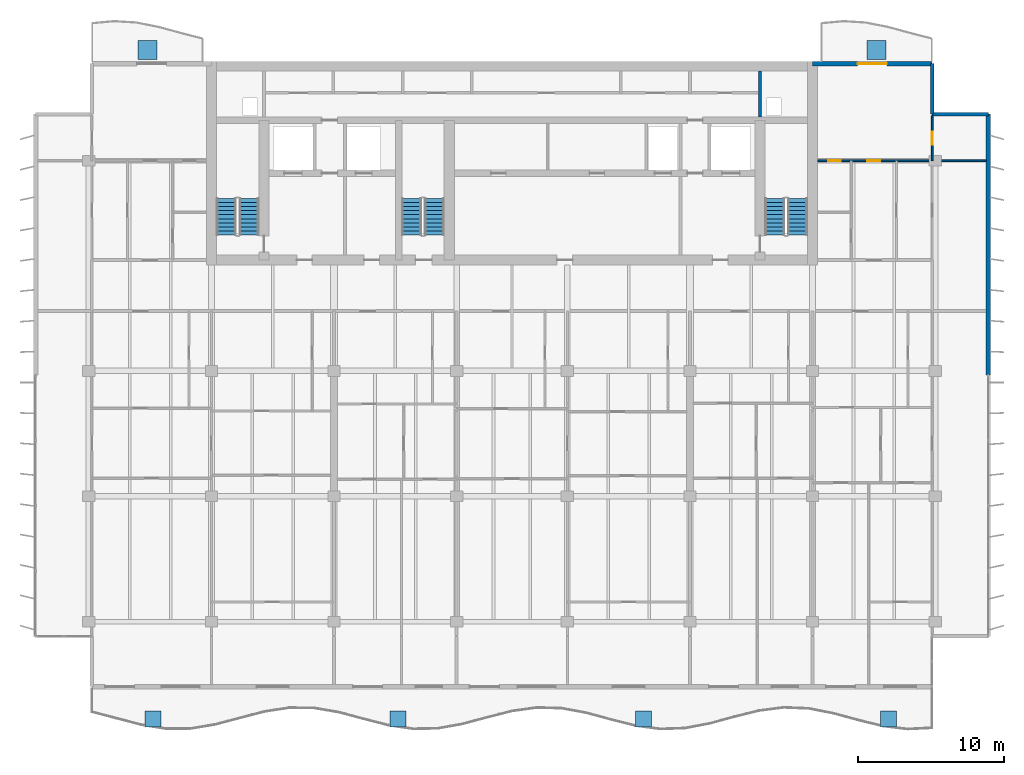
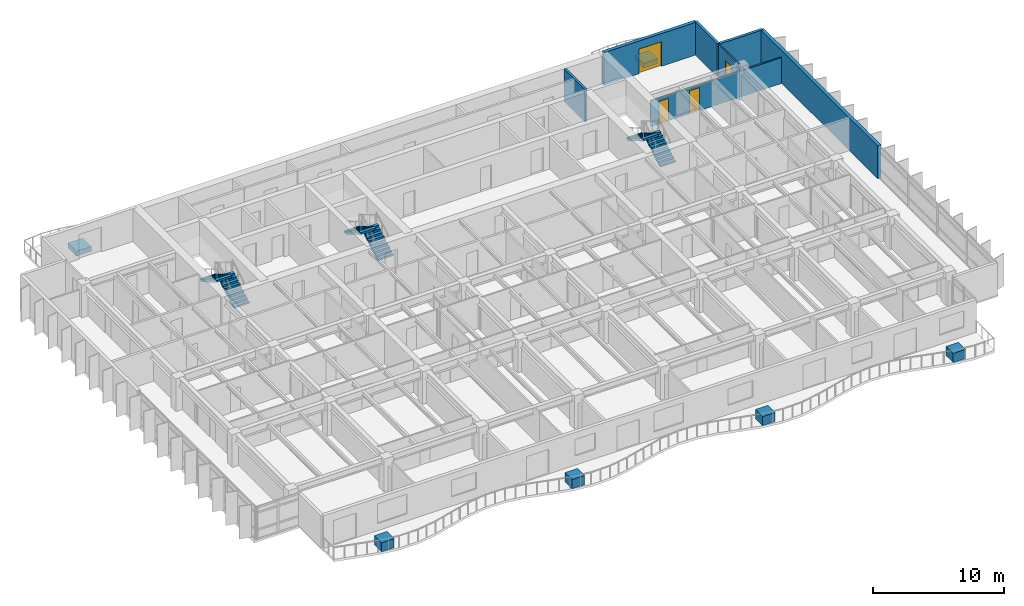
# One storey, part 15 of 19: 7 walls, 6 discrete accessories, 6 stair flights, 4 doors, 4 openings, 3 elements without a shape of their own.
"""IFC4 building model written with IfcOpenShell, lengths in metres."""

from ifc_helpers import new_model, si_unit, direction, frame, frame_2d, origin, origin_2d, place, context, subcontext, project, spatial, polyline, rectangle, outline, extrude, material, layer, layer_set, type_object, element, fill, aggregate, save


model = new_model("IFC4")

# Units and contexts
model_context = context("Model", 3, precision=1e-05, world=origin(), true_north=direction((0.0, 1.0)))
body_context = subcontext(model_context, "Body", "Model", "MODEL_VIEW")
ifc_project = project(units=[si_unit("LENGTHUNIT", "METRE"), si_unit("AREAUNIT", "SQUARE_METRE"), si_unit("VOLUMEUNIT", "CUBIC_METRE"), si_unit("PLANEANGLEUNIT", "RADIAN"), si_unit("MASSUNIT", "GRAM", prefix="KILO")], contexts=[model_context])

# Site, building, storey
site_placement = place(None, origin())
site = spatial("IfcSite", under=ifc_project, at=site_placement, CompositionType="ELEMENT")
building_placement = place(site_placement, origin())
building = spatial("IfcBuilding", under=site, at=building_placement, Name="Caelmar Bay Residences", CompositionType="ELEMENT")
storey_placement = place(building_placement, frame((0.0, 0.0, 188.39990234375)))
storey = spatial("IfcBuildingStorey", under=building, at=storey_placement, Name="L52", CompositionType="ELEMENT", Elevation=188.39990234375)

# Walls
ifc_material_1 = material(Name="Precast concrete f'c 40 MPa (6,000 psi)", Category="concrete")
ifc_layer_1 = layer(ifc_material_1, 0.25)
ifc_layer_set_1 = layer_set([ifc_layer_1], Name="Precast concrete f'c 40 MPa (6,000 psi)")
wall_type_1 = type_object("IfcWallType", Name="W-EXT-250", PredefinedType="ELEMENTEDWALL", material=ifc_layer_set_1)
wall_1_placement = place(storey_placement, frame((67.699951171875, 50.449951171875, 0.0), z_axis=(0.0, 0.0, 1.0), x_axis=(0.0, -1.0, 0.0)))
element("IfcWall", 1, at=wall_1_placement, inside=storey, type_object=wall_type_1, Name="L52 NNE-V Notch Wall", PredefinedType="ELEMENTEDWALL", context=body_context, shape_type="SweptSolid", body=[
    extrude(rectangle(XDim=3.449951171875, YDim=0.25, at=frame_2d((1.72509765625, 0.0))), origin(), (0.0, 0.0, 1.0), 3.050048828125),
])
wall_2_placement = place(storey_placement, frame((67.699951171875, 47.0, 0.0), z_axis=(0.0, 0.0, 1.0), x_axis=(1.0, 0.0, 0.0)))
element("IfcWall", 2, at=wall_2_placement, inside=storey, type_object=wall_type_1, Name="L52 NNE-H Notch Wall", PredefinedType="ELEMENTEDWALL", context=body_context, shape_type="SweptSolid", body=[
    extrude(rectangle(XDim=3.85009765625, YDim=0.25, at=frame_2d((1.925048828125, 0.0))), origin(), (0.0, 0.0, 1.0), 3.050048828125),
])
ifc_layer_2 = layer(ifc_material_1, 0.300048828125)
ifc_layer_set_2 = layer_set([ifc_layer_2], Name="Precast concrete f'c 40 MPa (6,000 psi)")
wall_type_2 = type_object("IfcWallType", Name="W-EXT-300", PredefinedType="STANDARD", material=ifc_layer_set_2)
wall_3_placement = place(storey_placement, frame((71.550048828125, 47.0, 0.0), z_axis=(0.0, 0.0, 1.0), x_axis=(0.0, -1.0, 0.0)))
element("IfcWall", 3, at=wall_3_placement, inside=storey, type_object=wall_type_2, Name="L52 East Rear Exterior Wall", PredefinedType="STANDARD", context=body_context, shape_type="SweptSolid", body=[
    extrude(rectangle(XDim=17.89990234375, YDim=0.300048828125, at=frame_2d((8.949951171875, 0.0))), origin(), (0.0, 0.0, 1.0), 3.050048828125),
])

# Wall, opening, door
wall_4_placement = place(storey_placement, frame((59.5, 50.449951171875, 0.0), z_axis=(0.0, 0.0, 1.0), x_axis=(1.0, 0.0, 0.0)))
wall_4 = element("IfcWall", 4, at=wall_4_placement, inside=storey, type_object=wall_type_2, Name="L52 North-East Wing Exterior Wall", PredefinedType="STANDARD", context=body_context, shape_type="SweptSolid", body=[
    extrude(rectangle(XDim=8.199951171875, YDim=0.300048828125, at=frame_2d((4.10009765625, 0.0))), origin(), (0.0, 0.0, 1.0), 3.050048828125),
])
opening_1_placement = place(wall_4_placement, frame((3.10009765625, 0.0, 0.0)))
opening_1 = element("IfcOpeningElement", 5, at=opening_1_placement, cuts=wall_4, Name="Opening L52-BDNE", PredefinedType="OPENING", context=body_context, shape_type="SweptSolid", body=[
    extrude(rectangle(XDim=2.0, YDim=2.300048828125, at=frame_2d((1.0, 1.14990234375))), frame((0.0, 0.159912109375, 0.0), z_axis=(0.0, -1.0, 0.0), x_axis=(1.0, 0.0, 0.0)), (0.0, 0.0, 1.0), 0.320068359375),
])
ifc_material_2 = material(Name="Anodised bronze thermally broken sliding glass door", Category="glass")
ifc_layer_3 = layer(ifc_material_2, 0.050048828125)
ifc_layer_set_3 = layer_set([ifc_layer_3], Name="Anodised bronze thermally broken sliding glass door")
door_type_1 = type_object("IfcDoorType", Name="D-BAL-2000", OperationType="DOUBLE_DOOR_SLIDING", PredefinedType="DOOR", material=ifc_layer_set_3)
door_1_placement = place(opening_1_placement, origin())
door_1 = element("IfcDoor", 6, at=door_1_placement, inside=storey, type_object=door_type_1, Name="L52 North-East Balcony Door", OperationType="DOUBLE_DOOR_SLIDING", OverallHeight=2.300048828125, OverallWidth=2.0, PredefinedType="DOOR", context=body_context, shape_type="SweptSolid", body=[
    extrude(rectangle(XDim=2.0, YDim=2.300048828125, at=frame_2d((1.0, 1.14990234375))), frame((0.0, 0.02490234375, 0.0), z_axis=(0.0, -1.0, 0.0), x_axis=(1.0, 0.0, 0.0)), (0.0, 0.0, 1.0), 0.050048828125),
])
fill(opening_1, door_1)

# Wall
ifc_material_3 = material(Name="Fire-rated masonry and gypsum shaftliner assembly 200 mm", Category="masonry")
ifc_layer_4 = layer(ifc_material_3, 0.199951171875)
ifc_layer_set_4 = layer_set([ifc_layer_4], Name="Fire-rated masonry and gypsum shaftliner assembly 200 mm")
wall_type_3 = type_object("IfcWallType", Name="W-FSAE-200", PredefinedType="PARTITIONING", material=ifc_layer_set_4)
wall_5_placement = place(storey_placement, frame((55.89990234375, 46.794921875, 0.0), z_axis=(0.0, 0.0, 1.0), x_axis=(0.0, 1.0, 0.0)))
element("IfcWall", 7, at=wall_5_placement, inside=storey, type_object=wall_type_3, Name="L52 Partition Wall V076", PredefinedType="PARTITIONING", context=body_context, shape_type="SweptSolid", body=[
    extrude(rectangle(XDim=3.16015625, YDim=0.199951171875, at=frame_2d((1.580078125, 0.0))), origin(), (0.0, 0.0, 1.0), 3.050048828125),
])

# Wall, opening, door
ifc_material_4 = material(Name="Acoustic metal-stud gypsum partition 120 mm")
ifc_layer_5 = layer(ifc_material_4, 0.1201171875)
ifc_layer_set_5 = layer_set([ifc_layer_5], Name="Acoustic metal-stud gypsum partition 120 mm")
wall_type_4 = type_object("IfcWallType", Name="W-PRT-120", PredefinedType="PARTITIONING", material=ifc_layer_set_5)
wall_6_placement = place(storey_placement, frame((67.699951171875, 43.804931640625, 0.0), z_axis=(0.0, 0.0, 1.0), x_axis=(0.0, 1.0, 0.0)))
wall_6 = element("IfcWall", 8, at=wall_6_placement, inside=storey, type_object=wall_type_4, Name="L52 Partition Wall V103", PredefinedType="PARTITIONING", context=body_context, shape_type="SweptSolid", body=[
    extrude(rectangle(XDim=3.074951171875, YDim=0.1201171875, at=frame_2d((1.53759765625, 0.0))), origin(), (0.0, 0.0, 1.0), 3.050048828125),
])
opening_2_placement = place(wall_6_placement, frame((1.08740234375, 0.0, 0.0)))
opening_2 = element("IfcOpeningElement", 9, at=opening_2_placement, cuts=wall_6, Name="Opening D-L52-176", PredefinedType="OPENING", context=body_context, shape_type="SweptSolid", body=[
    extrude(rectangle(XDim=0.89990234375, YDim=2.14990234375, at=frame_2d((0.449951171875, 1.074951171875))), frame((0.0, 0.070068359375, 0.0), z_axis=(0.0, -1.0, 0.0), x_axis=(1.0, 0.0, 0.0)), (0.0, 0.0, 1.0), 0.14013671875),
])
ifc_material_5 = material(Name="Solid walnut timber interior door leaf and frame", Category="wood")
ifc_layer_6 = layer(ifc_material_5, 0.050048828125)
ifc_layer_set_6 = layer_set([ifc_layer_6], Name="Solid walnut timber interior door leaf and frame")
door_type_2 = type_object("IfcDoorType", Name="D-ROOM-900", OperationType="NOTDEFINED", PredefinedType="DOOR", material=ifc_layer_set_6)
door_2_placement = place(opening_2_placement, origin())
door_2 = element("IfcDoor", 10, at=door_2_placement, inside=storey, type_object=door_type_2, Name="L52 Residence EA North Sitting Alcove Door", OperationType="SINGLE_SWING_RIGHT", OverallHeight=2.14990234375, OverallWidth=0.89990234375, PredefinedType="DOOR", context=body_context, shape_type="SweptSolid", body=[
    extrude(rectangle(XDim=0.89990234375, YDim=2.14990234375, at=frame_2d((0.449951171875, 1.074951171875))), frame((0.0, 0.02490234375, 0.0), z_axis=(0.0, -1.0, 0.0), x_axis=(1.0, 0.0, 0.0)), (0.0, 0.0, 1.0), 0.050048828125),
])
fill(opening_2, door_2)

# Wall, openings, doors
wall_7_placement = place(storey_placement, frame((59.844970703125, 43.800048828125, 0.0), z_axis=(0.0, 0.0, 1.0), x_axis=(1.0, 0.0, 0.0)))
wall_7 = element("IfcWall", 11, at=wall_7_placement, inside=storey, type_object=wall_type_4, Name="L52 Partition Wall H133", PredefinedType="PARTITIONING", context=body_context, shape_type="SweptSolid", body=[
    extrude(rectangle(XDim=11.56005859375, YDim=0.1201171875, at=frame_2d((5.780029296875, 0.0))), origin(), (0.0, 0.0, 1.0), 2.418212890625),
])
opening_3_placement = place(wall_7_placement, frame((3.408935546875, 0.0, 0.0)))
opening_3 = element("IfcOpeningElement", 12, at=opening_3_placement, cuts=wall_7, Name="Opening D-L52-172", PredefinedType="OPENING", context=body_context, shape_type="SweptSolid", body=[
    extrude(rectangle(XDim=0.89990234375, YDim=2.14990234375, at=frame_2d((0.449951171875, 1.074951171875))), frame((0.0, 0.070068359375, 0.0), z_axis=(0.0, -1.0, 0.0), x_axis=(1.0, 0.0, 0.0)), (0.0, 0.0, 1.0), 0.14013671875),
])
opening_4_placement = place(wall_7_placement, frame((0.7275390625, 0.0, 0.0)))
opening_4 = element("IfcOpeningElement", 13, at=opening_4_placement, cuts=wall_7, Name="Opening D-L52-174", PredefinedType="OPENING", context=body_context, shape_type="SweptSolid", body=[
    extrude(rectangle(XDim=0.85009765625, YDim=2.10009765625, at=frame_2d((0.425048828125, 1.050048828125))), frame((0.0, 0.070068359375, 0.0), z_axis=(0.0, -1.0, 0.0), x_axis=(1.0, 0.0, 0.0)), (0.0, 0.0, 1.0), 0.14013671875),
])
ifc_layer_7 = layer(ifc_material_5, 0.050048828125)
ifc_layer_set_7 = layer_set([ifc_layer_7], Name="Solid walnut timber interior door leaf and frame")
door_type_3 = type_object("IfcDoorType", Name="D-BATH-850", OperationType="NOTDEFINED", PredefinedType="DOOR", material=ifc_layer_set_7)
door_3_placement = place(opening_4_placement, origin())
door_3 = element("IfcDoor", 14, at=door_3_placement, inside=storey, type_object=door_type_3, Name="L52 Residence EA Bathroom Door", OperationType="SINGLE_SWING_RIGHT", OverallHeight=2.10009765625, OverallWidth=0.85009765625, PredefinedType="DOOR", context=body_context, shape_type="SweptSolid", body=[
    extrude(rectangle(XDim=0.85009765625, YDim=2.10009765625, at=frame_2d((0.425048828125, 1.050048828125))), frame((0.0, 0.02490234375, 0.0), z_axis=(0.0, -1.0, 0.0), x_axis=(1.0, 0.0, 0.0)), (0.0, 0.0, 1.0), 0.050048828125),
])
fill(opening_4, door_3)
door_4_placement = place(opening_3_placement, origin())
door_4 = element("IfcDoor", 15, at=door_4_placement, inside=storey, type_object=door_type_2, Name="L52 Residence EA Studio Living and Sleeping Room Door", OperationType="SINGLE_SWING_RIGHT", OverallHeight=2.14990234375, OverallWidth=0.89990234375, PredefinedType="DOOR", context=body_context, shape_type="SweptSolid", body=[
    extrude(rectangle(XDim=0.89990234375, YDim=2.14990234375, at=frame_2d((0.449951171875, 1.074951171875))), frame((0.0, 0.02490234375, 0.0), z_axis=(0.0, -1.0, 0.0), x_axis=(1.0, 0.0, 0.0)), (0.0, 0.0, 1.0), 0.050048828125),
])
fill(opening_3, door_4)

# Stair, stair flights
ifc_material_6 = material(Name="Concrete f'c 40 MPa (6,000 psi)", Category="concrete")
stair_type = type_object("IfcStairType", Name="ST-TYP-165", PredefinedType="HALF_TURN_STAIR", material=ifc_material_6)
stair_1_placement = place(storey_placement, origin())
stair_1 = element("IfcStair", 16, at=stair_1_placement, inside=storey, type_object=stair_type, Name="L52 West Smokeproof Exit Stair ST1", PredefinedType="HALF_TURN_STAIR")
stair_flight_type = type_object("IfcStairFlightType", Name="STF-1350", PredefinedType="STRAIGHT", material=ifc_material_6)
stair_flight_1_placement = place(storey_placement, frame((20.875, 38.699951171875, 0.0), z_axis=(0.0, 0.0, 1.0), x_axis=(0.0, 1.0, 0.0)))
stair_flight_1 = element("IfcStairFlight", 17, at=stair_flight_1_placement, type_object=stair_flight_type, Name="ST1 flight 1", NumberOfRisers=10, NumberOfTreads=9, PredefinedType="STRAIGHT", RiserHeight=0.165, TreadLength=0.28, context=body_context, shape_type="SweptSolid", body=[
    extrude(outline(polyline([(0.0, 0.0), (0.0, 0.1650390625), (0.280029296875, 0.1650390625), (0.280029296875, 0.330078125), (0.56005859375, 0.330078125), (0.56005859375, 0.4951171875), (0.840087890625, 0.4951171875), (0.840087890625, 0.659912109375), (1.1201171875, 0.659912109375), (1.1201171875, 0.824951171875), (1.39990234375, 0.824951171875), (1.39990234375, 0.989990234375), (1.679931640625, 0.989990234375), (1.679931640625, 1.155029296875), (1.9599609375, 1.155029296875), (1.9599609375, 1.320068359375), (2.239990234375, 1.320068359375), (2.239990234375, 1.485107421875), (2.52001953125, 1.485107421875), (2.52001953125, 1.64990234375), (2.52001953125, 1.31103515625), (0.295166015625, 0.0), (0.0, 0.0)])), frame((0.0, 0.675048828125, 0.0), z_axis=(0.0, -1.0, 0.0), x_axis=(1.0, 0.0, 0.0)), (0.0, 0.0, 1.0), 1.35009765625),
])
stair_flight_2_placement = place(storey_placement, frame((19.324951171875, 41.219970703125, 1.650146484375), z_axis=(0.0, 0.0, 1.0), x_axis=(0.0, -1.0, 0.0)))
stair_flight_2 = element("IfcStairFlight", 18, at=stair_flight_2_placement, type_object=stair_flight_type, Name="ST1 flight 2", NumberOfRisers=10, NumberOfTreads=9, PredefinedType="STRAIGHT", RiserHeight=0.165, TreadLength=0.28, context=body_context, shape_type="SweptSolid", body=[
    extrude(outline(polyline([(0.0, 0.0), (0.0, 0.1650390625), (0.280029296875, 0.1650390625), (0.280029296875, 0.330078125), (0.56005859375, 0.330078125), (0.56005859375, 0.4951171875), (0.840087890625, 0.4951171875), (0.840087890625, 0.659912109375), (1.1201171875, 0.659912109375), (1.1201171875, 0.824951171875), (1.39990234375, 0.824951171875), (1.39990234375, 0.989990234375), (1.679931640625, 0.989990234375), (1.679931640625, 1.155029296875), (1.9599609375, 1.155029296875), (1.9599609375, 1.320068359375), (2.239990234375, 1.320068359375), (2.239990234375, 1.485107421875), (2.52001953125, 1.485107421875), (2.52001953125, 1.64990234375), (2.52001953125, 1.31103515625), (0.295166015625, 0.0), (0.0, 0.0)])), frame((0.0, 0.675048828125, 0.0), z_axis=(0.0, -1.0, 0.0), x_axis=(1.0, 0.0, 0.0)), (0.0, 0.0, 1.0), 1.35009765625),
])
aggregate(stair_1, [stair_flight_1, stair_flight_2])

stair_2_placement = place(storey_placement, origin())
stair_2 = element("IfcStair", 19, at=stair_2_placement, inside=storey, type_object=stair_type, Name="L52 East Smokeproof Exit Stair ST2", PredefinedType="HALF_TURN_STAIR")
stair_flight_3_placement = place(storey_placement, frame((58.47509765625, 38.699951171875, 0.0), z_axis=(0.0, 0.0, 1.0), x_axis=(0.0, 1.0, 0.0)))
stair_flight_3 = element("IfcStairFlight", 20, at=stair_flight_3_placement, type_object=stair_flight_type, Name="ST2 flight 1", NumberOfRisers=10, NumberOfTreads=9, PredefinedType="STRAIGHT", RiserHeight=0.165, TreadLength=0.28, context=body_context, shape_type="SweptSolid", body=[
    extrude(outline(polyline([(0.0, 0.0), (0.0, 0.1650390625), (0.280029296875, 0.1650390625), (0.280029296875, 0.330078125), (0.56005859375, 0.330078125), (0.56005859375, 0.4951171875), (0.840087890625, 0.4951171875), (0.840087890625, 0.659912109375), (1.1201171875, 0.659912109375), (1.1201171875, 0.824951171875), (1.39990234375, 0.824951171875), (1.39990234375, 0.989990234375), (1.679931640625, 0.989990234375), (1.679931640625, 1.155029296875), (1.9599609375, 1.155029296875), (1.9599609375, 1.320068359375), (2.239990234375, 1.320068359375), (2.239990234375, 1.485107421875), (2.52001953125, 1.485107421875), (2.52001953125, 1.64990234375), (2.52001953125, 1.31103515625), (0.295166015625, 0.0), (0.0, 0.0)])), frame((0.0, 0.675048828125, 0.0), z_axis=(0.0, -1.0, 0.0), x_axis=(1.0, 0.0, 0.0)), (0.0, 0.0, 1.0), 1.35009765625),
])
stair_flight_4_placement = place(storey_placement, frame((56.925048828125, 41.219970703125, 1.650146484375), z_axis=(0.0, 0.0, 1.0), x_axis=(0.0, -1.0, 0.0)))
stair_flight_4 = element("IfcStairFlight", 21, at=stair_flight_4_placement, type_object=stair_flight_type, Name="ST2 flight 2", NumberOfRisers=10, NumberOfTreads=9, PredefinedType="STRAIGHT", RiserHeight=0.165, TreadLength=0.28, context=body_context, shape_type="SweptSolid", body=[
    extrude(outline(polyline([(0.0, 0.0), (0.0, 0.1650390625), (0.280029296875, 0.1650390625), (0.280029296875, 0.330078125), (0.56005859375, 0.330078125), (0.56005859375, 0.4951171875), (0.840087890625, 0.4951171875), (0.840087890625, 0.659912109375), (1.1201171875, 0.659912109375), (1.1201171875, 0.824951171875), (1.39990234375, 0.824951171875), (1.39990234375, 0.989990234375), (1.679931640625, 0.989990234375), (1.679931640625, 1.155029296875), (1.9599609375, 1.155029296875), (1.9599609375, 1.320068359375), (2.239990234375, 1.320068359375), (2.239990234375, 1.485107421875), (2.52001953125, 1.485107421875), (2.52001953125, 1.64990234375), (2.52001953125, 1.31103515625), (0.295166015625, 0.0), (0.0, 0.0)])), frame((0.0, 0.675048828125, 0.0), z_axis=(0.0, -1.0, 0.0), x_axis=(1.0, 0.0, 0.0)), (0.0, 0.0, 1.0), 1.35009765625),
])
aggregate(stair_2, [stair_flight_3, stair_flight_4])

stair_3_placement = place(storey_placement, origin())
stair_3 = element("IfcStair", 22, at=stair_3_placement, inside=storey, type_object=stair_type, Name="L52 Central Smokeproof Exit Stair ST3", PredefinedType="HALF_TURN_STAIR")
stair_flight_5_placement = place(storey_placement, frame((33.574951171875, 38.699951171875, 0.0), z_axis=(0.0, 0.0, 1.0), x_axis=(0.0, 1.0, 0.0)))
stair_flight_5 = element("IfcStairFlight", 23, at=stair_flight_5_placement, type_object=stair_flight_type, Name="ST3 flight 1", NumberOfRisers=10, NumberOfTreads=9, PredefinedType="STRAIGHT", RiserHeight=0.165, TreadLength=0.28, context=body_context, shape_type="SweptSolid", body=[
    extrude(outline(polyline([(0.0, 0.0), (0.0, 0.1650390625), (0.280029296875, 0.1650390625), (0.280029296875, 0.330078125), (0.56005859375, 0.330078125), (0.56005859375, 0.4951171875), (0.840087890625, 0.4951171875), (0.840087890625, 0.659912109375), (1.1201171875, 0.659912109375), (1.1201171875, 0.824951171875), (1.39990234375, 0.824951171875), (1.39990234375, 0.989990234375), (1.679931640625, 0.989990234375), (1.679931640625, 1.155029296875), (1.9599609375, 1.155029296875), (1.9599609375, 1.320068359375), (2.239990234375, 1.320068359375), (2.239990234375, 1.485107421875), (2.52001953125, 1.485107421875), (2.52001953125, 1.64990234375), (2.52001953125, 1.31103515625), (0.295166015625, 0.0), (0.0, 0.0)])), frame((0.0, 0.675048828125, 0.0), z_axis=(0.0, -1.0, 0.0), x_axis=(1.0, 0.0, 0.0)), (0.0, 0.0, 1.0), 1.35009765625),
])
stair_flight_6_placement = place(storey_placement, frame((32.02490234375, 41.219970703125, 1.650146484375), z_axis=(0.0, 0.0, 1.0), x_axis=(0.0, -1.0, 0.0)))
stair_flight_6 = element("IfcStairFlight", 24, at=stair_flight_6_placement, type_object=stair_flight_type, Name="ST3 flight 2", NumberOfRisers=10, NumberOfTreads=9, PredefinedType="STRAIGHT", RiserHeight=0.165, TreadLength=0.28, context=body_context, shape_type="SweptSolid", body=[
    extrude(outline(polyline([(0.0, 0.0), (0.0, 0.1650390625), (0.280029296875, 0.1650390625), (0.280029296875, 0.330078125), (0.56005859375, 0.330078125), (0.56005859375, 0.4951171875), (0.840087890625, 0.4951171875), (0.840087890625, 0.659912109375), (1.1201171875, 0.659912109375), (1.1201171875, 0.824951171875), (1.39990234375, 0.824951171875), (1.39990234375, 0.989990234375), (1.679931640625, 0.989990234375), (1.679931640625, 1.155029296875), (1.9599609375, 1.155029296875), (1.9599609375, 1.320068359375), (2.239990234375, 1.320068359375), (2.239990234375, 1.485107421875), (2.52001953125, 1.485107421875), (2.52001953125, 1.64990234375), (2.52001953125, 1.31103515625), (0.295166015625, 0.0), (0.0, 0.0)])), frame((0.0, 0.675048828125, 0.0), z_axis=(0.0, -1.0, 0.0), x_axis=(1.0, 0.0, 0.0)), (0.0, 0.0, 1.0), 1.35009765625),
])
aggregate(stair_3, [stair_flight_5, stair_flight_6])

# Discrete accessories
ifc_material_7 = material(Name="Architectural bronze GRC planter trough with volcanic-lapilli substrate")
discrete_accessory_type_1 = type_object("IfcDiscreteAccessoryType", Name="ACC-PLANTER-1100", PredefinedType="USERDEFINED", material=ifc_material_7)
for number, where, z_axis, x_axis, name in (
    (25, (14.300048828125, 5.543212890625, 0.0), (0.0, 0.0, 1.0), (1.0, 0.0, 0.0), "L52 Balcony Structural Tree Planter 1"),
    (26, (31.10009765625, 5.543212890625, 0.0), (0.0, 0.0, 1.0), (1.0, 0.0, 0.0), "L52 Balcony Structural Tree Planter 2"),
    (27, (47.89990234375, 5.543212890625, 0.0), (0.0, 0.0, 1.0), (1.0, 0.0, 0.0), "L52 Balcony Structural Tree Planter 3"),
    (28, (64.699951171875, 5.543212890625, 0.0), (0.0, 0.0, 1.0), (1.0, 0.0, 0.0), "L52 Balcony Structural Tree Planter 4"),
):
    element("IfcDiscreteAccessory", number, at=place(storey_placement, frame(where, z_axis=z_axis, x_axis=x_axis)), inside=storey, type_object=discrete_accessory_type_1, Name=name, ObjectType="PLANTER", PredefinedType="USERDEFINED", context=body_context, shape_type="SweptSolid", body=[
        extrude(rectangle(XDim=1.10009765625, YDim=1.10009765625, at=origin_2d()), origin(), (0.0, 0.0, 1.0), 0.85009765625),
    ])
discrete_accessory_type_2 = type_object("IfcDiscreteAccessoryType", Name="STR-PLANTER-KERB-450", PredefinedType="USERDEFINED", material=ifc_material_1)
for number, where, z_axis, x_axis, name in (
    (29, (13.89990234375, 51.39990234375, 0.0), (0.0, 0.0, 1.0), (1.0, 0.0, 0.0), "L52 north_west Structural Tree Planter Kerb"),
    (30, (63.89990234375, 51.39990234375, 0.0), (0.0, 0.0, 1.0), (1.0, 0.0, 0.0), "L52 north_east Structural Tree Planter Kerb"),
):
    element("IfcDiscreteAccessory", number, at=place(storey_placement, frame(where, z_axis=z_axis, x_axis=x_axis)), inside=storey, type_object=discrete_accessory_type_2, Name=name, ObjectType="PLANTER", PredefinedType="USERDEFINED", context=body_context, shape_type="SweptSolid", body=[
        extrude(rectangle(XDim=1.300048828125, YDim=1.300048828125, at=origin_2d()), origin(), (0.0, 0.0, 1.0), 0.449951171875),
    ])

save(model, "model.ifc")
